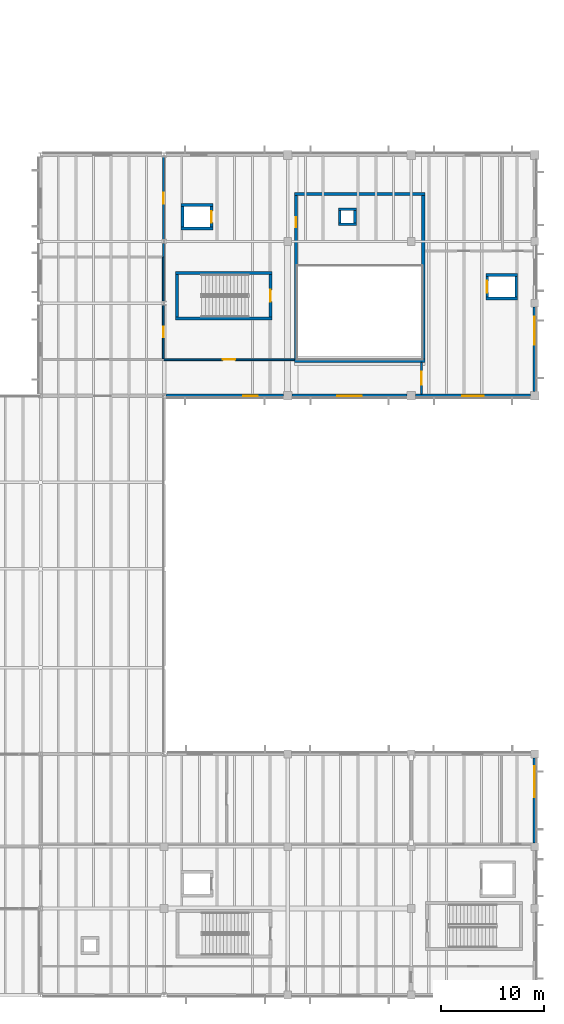
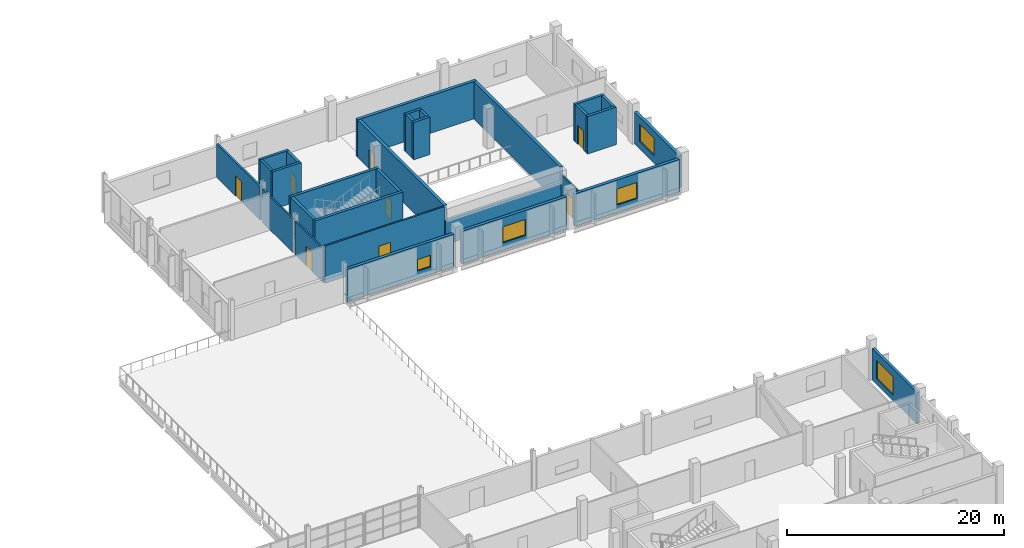
# One storey, part 62 of 78: 31 walls, 8 doors, 5 windows, 13 openings.
"""IFC4 building model written with IfcOpenShell, lengths in metres."""

from ifc_helpers import new_model, si_unit, direction, frame, frame_2d, origin, place, context, subcontext, project, spatial, rectangle, extrude, material, layer, layer_set, type_object, element, fill, save


model = new_model("IFC4")

# Units and contexts
model_context = context("Model", 3, precision=1e-05, world=origin(), true_north=direction((0.0, 1.0)))
body_context = subcontext(model_context, "Body", "Model", "MODEL_VIEW")
ifc_project = project(units=[si_unit("LENGTHUNIT", "METRE"), si_unit("AREAUNIT", "SQUARE_METRE"), si_unit("VOLUMEUNIT", "CUBIC_METRE"), si_unit("PLANEANGLEUNIT", "RADIAN"), si_unit("MASSUNIT", "GRAM", prefix="KILO")], contexts=[model_context])

# Site, building, storey
site_placement = place(None, origin())
site = spatial("IfcSite", under=ifc_project, at=site_placement, CompositionType="ELEMENT")
building_placement = place(site_placement, origin())
building = spatial("IfcBuilding", under=site, at=building_placement, Name="Kelmvaro Bay Concert Hall", CompositionType="ELEMENT")
storey_placement = place(building_placement, frame((0.0, 0.0, 9.300048828125)))
storey = spatial("IfcBuildingStorey", under=building, at=storey_placement, Name="L02", CompositionType="ELEMENT", Elevation=9.300048828125)

# Walls
ifc_material_1 = material(Name="Concrete C40/50", Category="concrete")
ifc_layer_1 = layer(ifc_material_1, 0.31005859375)
ifc_layer_set_1 = layer_set([ifc_layer_1], Name="Concrete C40/50")
wall_type_1 = type_object("IfcWallType", Name="Chamber Inner Box Shear Wall 310", PredefinedType="SHEAR", material=ifc_layer_set_1)
wall_1_placement = place(storey_placement, frame((144.6650390625, 77.219970703125, 0.0), z_axis=(0.0, 0.0, 1.0), x_axis=(1.0, 0.0, 0.0)))
element("IfcWall", 1, at=wall_1_placement, inside=storey, type_object=wall_type_1, Name="L02 V2 Acoustic Inner Box Wall S", PredefinedType="SHEAR", context=body_context, shape_type="SweptSolid", body=[
    extrude(rectangle(XDim=12.669921875, YDim=0.31005859375, at=frame_2d((6.3349609375, 0.0))), origin(), (0.0, 0.0, 1.0), 2.7099609375),
])
wall_2_placement = place(storey_placement, frame((144.6650390625, 93.419921875, 0.0), z_axis=(0.0, 0.0, 1.0), x_axis=(1.0, 0.0, 0.0)))
element("IfcWall", 2, at=wall_2_placement, inside=storey, type_object=wall_type_1, Name="L02 V2 Acoustic Inner Box Wall N", PredefinedType="SHEAR", context=body_context, shape_type="SweptSolid", body=[
    extrude(rectangle(XDim=12.669921875, YDim=0.31005859375, at=frame_2d((6.3349609375, 0.0))), origin(), (0.0, 0.0, 1.0), 4.219970703125),
])

# Wall, opening, door
wall_3_placement = place(storey_placement, frame((144.820068359375, 77.375, 0.0), z_axis=(0.0, 0.0, 1.0), x_axis=(0.0, 1.0, 0.0)))
wall_3 = element("IfcWall", 3, at=wall_3_placement, inside=storey, type_object=wall_type_1, Name="L02 V2 Acoustic Inner Box Wall W", PredefinedType="SHEAR", context=body_context, shape_type="SweptSolid", body=[
    extrude(rectangle(XDim=15.889892578125, YDim=0.31005859375, at=frame_2d((7.94482421875, 0.0))), origin(), (0.0, 0.0, 1.0), 4.219970703125),
])
opening_1_placement = place(wall_3_placement, frame((12.818359375, 0.0, 0.0)))
opening_1 = element("IfcOpeningElement", 4, at=opening_1_placement, cuts=wall_3, Name="Opening ID-AD1", PredefinedType="OPENING", context=body_context, shape_type="SweptSolid", body=[
    extrude(rectangle(XDim=0.9599609375, YDim=2.159912109375, at=frame_2d((0.47998046875, 1.080078125))), frame((0.0, 0.1650390625, 0.0), z_axis=(0.0, -1.0, 0.0), x_axis=(1.0, 0.0, 0.0)), (0.0, 0.0, 1.0), 0.330078125),
])
ifc_material_2 = material(Name="Anodised Aluminium and Glass", Category="aluminium")
door_type_1 = type_object("IfcDoorType", Name="Administration Suite Glazed Door 960x2160", OperationType="NOTDEFINED", PredefinedType="DOOR", material=ifc_material_2)
door_1_placement = place(opening_1_placement, origin())
door_1 = element("IfcDoor", 5, at=door_1_placement, inside=storey, type_object=door_type_1, Name="L02 Interior Door DR-INT-L02-0133", OperationType="SINGLE_SWING_LEFT", OverallHeight=2.159912109375, OverallWidth=0.9599609375, PredefinedType="DOOR", context=body_context, shape_type="SweptSolid", body=[
    extrude(rectangle(XDim=0.9599609375, YDim=2.159912109375, at=frame_2d((0.47998046875, 1.080078125))), frame((0.0, 0.02490234375, 0.0), z_axis=(0.0, -1.0, 0.0), x_axis=(1.0, 0.0, 0.0)), (0.0, 0.0, 1.0), 0.050048828125),
])
fill(opening_1, door_1)

# Wall
wall_4_placement = place(storey_placement, frame((157.179931640625, 77.375, 0.0), z_axis=(0.0, 0.0, 1.0), x_axis=(0.0, 1.0, 0.0)))
element("IfcWall", 6, at=wall_4_placement, inside=storey, type_object=wall_type_1, Name="L02 V2 Acoustic Inner Box Wall E", PredefinedType="SHEAR", context=body_context, shape_type="SweptSolid", body=[
    extrude(rectangle(XDim=15.889892578125, YDim=0.31005859375, at=frame_2d((7.94482421875, 0.0))), origin(), (0.0, 0.0, 1.0), 4.219970703125),
])

# Wall, opening, window
ifc_material_3 = material(Name="Precast Concrete C40/50", Category="concrete")
ifc_layer_2 = layer(ifc_material_3, 0.320068359375)
ifc_layer_set_2 = layer_set([ifc_layer_2], Name="Precast Concrete C40/50")
wall_type_2 = type_object("IfcWallType", Name="Chamber Pavilion Precast Wall 320", PredefinedType="SOLIDWALL", material=ifc_layer_set_2)
wall_5_placement = place(storey_placement, frame((143.574951171875, 73.800048828125, 0.0), z_axis=(0.0, 0.0, 1.0), x_axis=(-1.0, 0.0, 0.0)))
wall_5 = element("IfcWall", 7, at=wall_5_placement, inside=storey, type_object=wall_type_2, Name="L02 Exterior Wall EW-L02-0134", PredefinedType="SOLIDWALL", context=body_context, shape_type="SweptSolid", body=[
    extrude(rectangle(XDim=11.37451171875, YDim=0.320068359375, at=frame_2d((5.687255859375, 0.0))), origin(), (0.0, 0.0, 1.0), 3.6640625),
])
opening_2_placement = place(wall_5_placement, frame((2.48486328125, 0.0, 0.85009765625)))
opening_2 = element("IfcOpeningElement", 8, at=opening_2_placement, cuts=wall_5, Name="Opening WN-26", PredefinedType="OPENING", context=body_context, shape_type="SweptSolid", body=[
    extrude(rectangle(XDim=1.39990234375, YDim=1.300048828125, at=frame_2d((0.699951171875, 0.64990234375))), frame((0.0, 0.169921875, 0.0), z_axis=(0.0, -1.0, 0.0), x_axis=(1.0, 0.0, 0.0)), (0.0, 0.0, 1.0), 0.340087890625),
])
ifc_material_4 = material(Name="Thermally Broken Aluminium and Acoustic Low-E Glass", Category="aluminium")
window_type_1 = type_object("IfcWindowType", Name="Backstage Corridor Lite Window 1400x1300", PartitioningType="SINGLE_PANEL", PredefinedType="WINDOW", material=ifc_material_4)
window_1_placement = place(opening_2_placement, origin())
window_1 = element("IfcWindow", 9, at=window_1_placement, inside=storey, type_object=window_type_1, Name="L02 Facade Window WN-L02-0055", OverallHeight=1.300048828125, OverallWidth=1.39990234375, PartitioningType="SINGLE_PANEL", PredefinedType="WINDOW", context=body_context, shape_type="SweptSolid", body=[
    extrude(rectangle(XDim=1.39990234375, YDim=1.300048828125, at=frame_2d((0.699951171875, 0.64990234375))), frame((0.0, 0.030029296875, 0.0), z_axis=(0.0, -1.0, 0.0), x_axis=(1.0, 0.0, 0.0)), (0.0, 0.0, 1.0), 0.06005859375),
])
fill(opening_2, window_1)

wall_6_placement = place(storey_placement, frame((155.574951171875, 73.800048828125, 0.0), z_axis=(0.0, 0.0, 1.0), x_axis=(-1.0, 0.0, 0.0)))
wall_6 = element("IfcWall", 10, at=wall_6_placement, inside=storey, type_object=wall_type_2, Name="L02 Exterior Wall EW-L02-0135", PredefinedType="SOLIDWALL", context=body_context, shape_type="SweptSolid", body=[
    extrude(rectangle(XDim=11.14990234375, YDim=0.320068359375, at=frame_2d((5.574951171875, 0.0))), origin(), (0.0, 0.0, 1.0), 3.6640625),
])
opening_3_placement = place(wall_6_placement, frame((4.375, 0.0, 0.85009765625)))
opening_3 = element("IfcOpeningElement", 11, at=opening_3_placement, cuts=wall_6, Name="Opening WN-01", PredefinedType="OPENING", context=body_context, shape_type="SweptSolid", body=[
    extrude(rectangle(XDim=2.39990234375, YDim=1.800048828125, at=frame_2d((1.199951171875, 0.89990234375))), frame((0.0, 0.169921875, 0.0), z_axis=(0.0, -1.0, 0.0), x_axis=(1.0, 0.0, 0.0)), (0.0, 0.0, 1.0), 0.340087890625),
])
ifc_material_5 = material(Name="Thermally Broken Aluminium and Acoustic Low-E Glass", Category="aluminium")
window_type_2 = type_object("IfcWindowType", Name="Bauhaus Ribbon Window 2400x1800", PartitioningType="SINGLE_PANEL", PredefinedType="WINDOW", material=ifc_material_5)
window_2_placement = place(opening_3_placement, origin())
window_2 = element("IfcWindow", 12, at=window_2_placement, inside=storey, type_object=window_type_2, Name="L02 Facade Window WN-L02-0056", OverallHeight=1.800048828125, OverallWidth=2.39990234375, PartitioningType="SINGLE_PANEL", PredefinedType="WINDOW", context=body_context, shape_type="SweptSolid", body=[
    extrude(rectangle(XDim=2.39990234375, YDim=1.800048828125, at=frame_2d((1.199951171875, 0.89990234375))), frame((0.0, 0.030029296875, 0.0), z_axis=(0.0, -1.0, 0.0), x_axis=(1.0, 0.0, 0.0)), (0.0, 0.0, 1.0), 0.06005859375),
])
fill(opening_3, window_2)

wall_7_placement = place(storey_placement, frame((167.574951171875, 73.800048828125, 0.0), z_axis=(0.0, 0.0, 1.0), x_axis=(-1.0, 0.0, 0.0)))
wall_7 = element("IfcWall", 13, at=wall_7_placement, inside=storey, type_object=wall_type_2, Name="L02 Exterior Wall EW-L02-0136", PredefinedType="SOLIDWALL", context=body_context, shape_type="SweptSolid", body=[
    extrude(rectangle(XDim=11.14990234375, YDim=0.320068359375, at=frame_2d((5.574951171875, 0.0))), origin(), (0.0, 0.0, 1.0), 3.6640625),
])
opening_4_placement = place(wall_7_placement, frame((4.52490234375, 0.0, 0.85009765625)))
opening_4 = element("IfcOpeningElement", 14, at=opening_4_placement, cuts=wall_7, Name="Opening WN-02", PredefinedType="OPENING", context=body_context, shape_type="SweptSolid", body=[
    extrude(rectangle(XDim=2.10009765625, YDim=1.800048828125, at=frame_2d((1.050048828125, 0.89990234375))), frame((0.0, 0.169921875, 0.0), z_axis=(0.0, -1.0, 0.0), x_axis=(1.0, 0.0, 0.0)), (0.0, 0.0, 1.0), 0.340087890625),
])
ifc_material_6 = material(Name="Thermally Broken Aluminium and Acoustic Low-E Glass", Category="aluminium")
window_type_3 = type_object("IfcWindowType", Name="Bauhaus Ribbon Window 2100x1800", PartitioningType="SINGLE_PANEL", PredefinedType="WINDOW", material=ifc_material_6)
window_3_placement = place(opening_4_placement, origin())
window_3 = element("IfcWindow", 15, at=window_3_placement, inside=storey, type_object=window_type_3, Name="L02 Facade Window WN-L02-0057", OverallHeight=1.800048828125, OverallWidth=2.10009765625, PartitioningType="SINGLE_PANEL", PredefinedType="WINDOW", context=body_context, shape_type="SweptSolid", body=[
    extrude(rectangle(XDim=2.10009765625, YDim=1.800048828125, at=frame_2d((1.050048828125, 0.89990234375))), frame((0.0, 0.030029296875, 0.0), z_axis=(0.0, -1.0, 0.0), x_axis=(1.0, 0.0, 0.0)), (0.0, 0.0, 1.0), 0.06005859375),
])
fill(opening_4, window_3)

wall_8_placement = place(storey_placement, frame((168.0, 82.425048828125, 0.0), z_axis=(0.0, 0.0, 1.0), x_axis=(0.0, -1.0, 0.0)))
wall_8 = element("IfcWall", 16, at=wall_8_placement, inside=storey, type_object=wall_type_2, Name="L02 Exterior Wall EW-L02-0142", PredefinedType="SOLIDWALL", context=body_context, shape_type="SweptSolid", body=[
    extrude(rectangle(XDim=8.199951171875, YDim=0.320068359375, at=frame_2d((4.10009765625, 0.0))), origin(), (0.0, 0.0, 1.0), 3.5888671875),
])
opening_5_placement = place(wall_8_placement, frame((0.946044921875, 0.0, 0.85009765625)))
opening_5 = element("IfcOpeningElement", 17, at=opening_5_placement, cuts=wall_8, Name="Opening WN-07", PredefinedType="OPENING", context=body_context, shape_type="SweptSolid", body=[
    extrude(rectangle(XDim=2.699951171875, YDim=1.949951171875, at=frame_2d((1.35009765625, 0.97509765625))), frame((0.0, 0.169921875, 0.0), z_axis=(0.0, -1.0, 0.0), x_axis=(1.0, 0.0, 0.0)), (0.0, 0.0, 1.0), 0.340087890625),
])
ifc_material_7 = material(Name="Thermally Broken Aluminium and Acoustic Low-E Glass", Category="aluminium")
window_type_4 = type_object("IfcWindowType", Name="Classroom Mullion Window 2700x1950", PartitioningType="SINGLE_PANEL", PredefinedType="WINDOW", material=ifc_material_7)
window_4_placement = place(opening_5_placement, origin())
window_4 = element("IfcWindow", 18, at=window_4_placement, inside=storey, type_object=window_type_4, Name="L02 Facade Window WN-L02-0062", OverallHeight=1.949951171875, OverallWidth=2.699951171875, PartitioningType="SINGLE_PANEL", PredefinedType="WINDOW", context=body_context, shape_type="SweptSolid", body=[
    extrude(rectangle(XDim=2.699951171875, YDim=1.949951171875, at=frame_2d((1.35009765625, 0.97509765625))), frame((0.0, 0.030029296875, 0.0), z_axis=(0.0, -1.0, 0.0), x_axis=(1.0, 0.0, 0.0)), (0.0, 0.0, 1.0), 0.06005859375),
])
fill(opening_5, window_4)

# Wall, opening, door
ifc_material_8 = material(Name="Acoustic Gypsum Board on Galvanised Steel Studs", Category="steel")
ifc_layer_3 = layer(ifc_material_8, 0.169921875)
ifc_layer_set_3 = layer_set([ifc_layer_3], Name="Acoustic Gypsum Board on Galvanised Steel Studs")
wall_type_3 = type_object("IfcWallType", Name="Corridor Fire Compartment Partition 170", PredefinedType="PARTITIONING", material=ifc_layer_set_3)
wall_9_placement = place(storey_placement, frame((131.949951171875, 77.320068359375, 0.0), z_axis=(0.0, 0.0, 1.0), x_axis=(1.0, 0.0, 0.0)))
wall_9 = element("IfcWall", 19, at=wall_9_placement, inside=storey, type_object=wall_type_3, Name="L02 Interior Partition PT-L02-0220", PredefinedType="PARTITIONING", context=body_context, shape_type="SweptSolid", body=[
    extrude(rectangle(XDim=12.705078125, YDim=0.169921875, at=frame_2d((6.3525390625, 0.0))), origin(), (0.0, 0.0, 1.0), 4.199951171875),
])
opening_6_placement = place(wall_9_placement, frame((5.742431640625, 0.0, 0.0)))
opening_6 = element("IfcOpeningElement", 20, at=opening_6_placement, cuts=wall_9, Name="Opening ID-ST2", PredefinedType="OPENING", context=body_context, shape_type="SweptSolid", body=[
    extrude(rectangle(XDim=1.219970703125, YDim=2.179931640625, at=frame_2d((0.60986328125, 1.08984375))), frame((0.0, 0.094970703125, 0.0), z_axis=(0.0, -1.0, 0.0), x_axis=(1.0, 0.0, 0.0)), (0.0, 0.0, 1.0), 0.18994140625),
])
ifc_material_9 = material(Name="Acoustic Oak and Fire Glass", Category="glass")
door_type_2 = type_object("IfcDoorType", Name="Core Lobby Smoke Control Door 1220x2180", OperationType="NOTDEFINED", PredefinedType="DOOR", material=ifc_material_9)
door_2_placement = place(opening_6_placement, origin())
door_2 = element("IfcDoor", 21, at=door_2_placement, inside=storey, type_object=door_type_2, Name="L02 Interior Door DR-INT-L02-0130", OperationType="SINGLE_SWING_RIGHT", OverallHeight=2.179931640625, OverallWidth=1.219970703125, PredefinedType="DOOR", context=body_context, shape_type="SweptSolid", body=[
    extrude(rectangle(XDim=1.219970703125, YDim=2.179931640625, at=frame_2d((0.60986328125, 1.08984375))), frame((0.0, 0.02490234375, 0.0), z_axis=(0.0, -1.0, 0.0), x_axis=(1.0, 0.0, 0.0)), (0.0, 0.0, 1.0), 0.050048828125),
])
fill(opening_6, door_2)

wall_10_placement = place(storey_placement, frame((157.0, 73.969970703125, 0.0), z_axis=(0.0, 0.0, 1.0), x_axis=(0.0, 1.0, 0.0)))
wall_10 = element("IfcWall", 22, at=wall_10_placement, inside=storey, type_object=wall_type_3, Name="L02 Interior Partition PT-L02-0222", PredefinedType="PARTITIONING", context=body_context, shape_type="SweptSolid", body=[
    extrude(rectangle(XDim=3.0849609375, YDim=0.169921875, at=frame_2d((1.54248046875, 0.0))), origin(), (0.0, 0.0, 1.0), 3.6640625),
])
opening_7_placement = place(wall_10_placement, frame((0.9326171875, 0.0, 0.0)))
opening_7 = element("IfcOpeningElement", 23, at=opening_7_placement, cuts=wall_10, Name="Opening ID-ST2", PredefinedType="OPENING", context=body_context, shape_type="SweptSolid", body=[
    extrude(rectangle(XDim=1.219970703125, YDim=2.179931640625, at=frame_2d((0.60986328125, 1.08984375))), frame((0.0, 0.094970703125, 0.0), z_axis=(0.0, -1.0, 0.0), x_axis=(1.0, 0.0, 0.0)), (0.0, 0.0, 1.0), 0.18994140625),
])
door_3_placement = place(opening_7_placement, origin())
door_3 = element("IfcDoor", 24, at=door_3_placement, inside=storey, type_object=door_type_2, Name="L02 Interior Door DR-INT-L02-0132", OperationType="SINGLE_SWING_RIGHT", OverallHeight=2.179931640625, OverallWidth=1.219970703125, PredefinedType="DOOR", context=body_context, shape_type="SweptSolid", body=[
    extrude(rectangle(XDim=1.219970703125, YDim=2.179931640625, at=frame_2d((0.60986328125, 1.08984375))), frame((0.0, 0.02490234375, 0.0), z_axis=(0.0, -1.0, 0.0), x_axis=(1.0, 0.0, 0.0)), (0.0, 0.0, 1.0), 0.050048828125),
])
fill(opening_7, door_3)

# Wall
ifc_material_10 = material(Name="Acoustic Gypsum Board on Galvanised Steel Studs", Category="steel")
ifc_layer_4 = layer(ifc_material_10, 0.199951171875)
ifc_layer_set_4 = layer_set([ifc_layer_4], Name="Acoustic Gypsum Board on Galvanised Steel Studs")
wall_type_4 = type_object("IfcWallType", Name="Double-Stud Acoustic Studio Partition 200", PredefinedType="PARTITIONING", material=ifc_layer_set_4)
wall_11_placement = place(storey_placement, frame((131.919921875, 87.27490234375, 0.0), z_axis=(0.0, 0.0, 1.0), x_axis=(0.0, 1.0, 0.0)))
element("IfcWall", 25, at=wall_11_placement, inside=storey, type_object=wall_type_4, Name="L02 Interior Partition PT-L02-0225", PredefinedType="PARTITIONING", context=body_context, shape_type="SweptSolid", body=[
    extrude(rectangle(XDim=1.320068359375, YDim=0.199951171875, at=frame_2d((0.66015625, 0.0))), origin(), (0.0, 0.0, 1.0), 3.763916015625),
])

# Wall, opening, door
wall_12_placement = place(storey_placement, frame((131.919921875, 89.0048828125, 0.0), z_axis=(0.0, 0.0, 1.0), x_axis=(0.0, 1.0, 0.0)))
wall_12 = element("IfcWall", 26, at=wall_12_placement, inside=storey, type_object=wall_type_4, Name="L02 Interior Partition PT-L02-0226", PredefinedType="PARTITIONING", context=body_context, shape_type="SweptSolid", body=[
    extrude(rectangle(XDim=7.987548828125, YDim=0.199951171875, at=frame_2d((3.99365234375, 0.0))), origin(), (0.0, 0.0, 1.0), 3.763916015625),
])
opening_8_placement = place(wall_12_placement, frame((3.44384765625, 0.0, 0.0)))
opening_8 = element("IfcOpeningElement", 27, at=opening_8_placement, cuts=wall_12, Name="Opening ID-AC5", PredefinedType="OPENING", context=body_context, shape_type="SweptSolid", body=[
    extrude(rectangle(XDim=1.10009765625, YDim=2.260009765625, at=frame_2d((0.550048828125, 1.1298828125))), frame((0.0, 0.10986328125, 0.0), z_axis=(0.0, -1.0, 0.0), x_axis=(1.0, 0.0, 0.0)), (0.0, 0.0, 1.0), 0.219970703125),
])
ifc_material_11 = material(Name="Acoustic Laminated Steel Core", Category="steel")
door_type_3 = type_object("IfcDoorType", Name="Studio Sound-Lock Heavy Door 1100x2260", OperationType="NOTDEFINED", PredefinedType="DOOR", material=ifc_material_11)
door_4_placement = place(opening_8_placement, origin())
door_4 = element("IfcDoor", 28, at=door_4_placement, inside=storey, type_object=door_type_3, Name="L02 Interior Door DR-INT-L02-0135", OperationType="SINGLE_SWING_LEFT", OverallHeight=2.260009765625, OverallWidth=1.10009765625, PredefinedType="DOOR", context=body_context, shape_type="SweptSolid", body=[
    extrude(rectangle(XDim=1.10009765625, YDim=2.260009765625, at=frame_2d((0.550048828125, 1.1298828125))), frame((0.0, 0.02490234375, 0.0), z_axis=(0.0, -1.0, 0.0), x_axis=(1.0, 0.0, 0.0)), (0.0, 0.0, 1.0), 0.050048828125),
])
fill(opening_8, door_4)

# Wall, opening, window
ifc_material_12 = material(Name="Precast Concrete C40/50", Category="concrete")
ifc_layer_5 = layer(ifc_material_12, 0.280029296875)
ifc_layer_set_5 = layer_set([ifc_layer_5], Name="Precast Concrete C40/50")
wall_type_5 = type_object("IfcWallType", Name="Percussion Pavilion Precast Wall 280", PredefinedType="SOLIDWALL", material=ifc_layer_set_5)
wall_13_placement = place(storey_placement, frame((168.0, 38.625, 0.0), z_axis=(0.0, 0.0, 1.0), x_axis=(0.0, -1.0, 0.0)))
wall_13 = element("IfcWall", 29, at=wall_13_placement, inside=storey, type_object=wall_type_5, Name="L02 Exterior Wall EW-L02-0231", PredefinedType="SOLIDWALL", context=body_context, shape_type="SweptSolid", body=[
    extrude(rectangle(XDim=8.25, YDim=0.280029296875, at=frame_2d((4.125, 0.0))), origin(), (0.0, 0.0, 1.0), 3.549072265625),
])
opening_9_placement = place(wall_13_placement, frame((0.81005859375, 0.0, 0.60009765625)))
opening_9 = element("IfcOpeningElement", 30, at=opening_9_placement, cuts=wall_13, Name="Opening WN-15", PredefinedType="OPENING", context=body_context, shape_type="SweptSolid", body=[
    extrude(rectangle(XDim=3.0, YDim=2.10009765625, at=frame_2d((1.5, 1.050048828125))), frame((0.0, 0.14990234375, 0.0), z_axis=(0.0, -1.0, 0.0), x_axis=(1.0, 0.0, 0.0)), (0.0, 0.0, 1.0), 0.300048828125),
])
ifc_material_13 = material(Name="Thermally Broken Aluminium and Acoustic Low-E Glass", Category="aluminium")
window_type_5 = type_object("IfcWindowType", Name="Composer Studio Picture Window 3000x2100", PartitioningType="SINGLE_PANEL", PredefinedType="WINDOW", material=ifc_material_13)
window_5_placement = place(opening_9_placement, origin())
window_5 = element("IfcWindow", 31, at=window_5_placement, inside=storey, type_object=window_type_5, Name="L02 Facade Window WN-L02-0122", OverallHeight=2.10009765625, OverallWidth=3.0, PartitioningType="SINGLE_PANEL", PredefinedType="WINDOW", context=body_context, shape_type="SweptSolid", body=[
    extrude(rectangle(XDim=3.0, YDim=2.10009765625, at=frame_2d((1.5, 1.050048828125))), frame((0.0, 0.030029296875, 0.0), z_axis=(0.0, -1.0, 0.0), x_axis=(1.0, 0.0, 0.0)), (0.0, 0.0, 1.0), 0.06005859375),
])
fill(opening_9, window_5)

# Wall, opening, door
ifc_material_14 = material(Name="Acoustic Gypsum Board on Galvanised Steel Studs", Category="steel")
ifc_layer_6 = layer(ifc_material_14, 0.159912109375)
ifc_layer_set_6 = layer_set([ifc_layer_6], Name="Acoustic Gypsum Board on Galvanised Steel Studs")
wall_type_6 = type_object("IfcWallType", Name="Practice Room Acoustic Partition 160", PredefinedType="PARTITIONING", material=ifc_layer_set_6)
wall_14_placement = place(storey_placement, frame((131.919921875, 77.4150390625, 0.0), z_axis=(0.0, 0.0, 1.0), x_axis=(0.0, 1.0, 0.0)))
wall_14 = element("IfcWall", 32, at=wall_14_placement, inside=storey, type_object=wall_type_6, Name="L02 Interior Partition PT-L02-0223", PredefinedType="PARTITIONING", context=body_context, shape_type="SweptSolid", body=[
    extrude(rectangle(XDim=5.179931640625, YDim=0.159912109375, at=frame_2d((2.58984375, 0.0))), origin(), (0.0, 0.0, 1.0), 3.763916015625),
])
opening_10_placement = place(wall_14_placement, frame((2.06005859375, 0.0, 0.0)))
opening_10 = element("IfcOpeningElement", 33, at=opening_10_placement, cuts=wall_14, Name="Opening ID-PR2", PredefinedType="OPENING", context=body_context, shape_type="SweptSolid", body=[
    extrude(rectangle(XDim=1.06005859375, YDim=2.219970703125, at=frame_2d((0.530029296875, 1.10986328125))), frame((0.0, 0.08984375, 0.0), z_axis=(0.0, -1.0, 0.0), x_axis=(1.0, 0.0, 0.0)), (0.0, 0.0, 1.0), 0.179931640625),
])
ifc_material_15 = material(Name="Solid White Oak Acoustic Leaf")
door_type_4 = type_object("IfcDoorType", Name="Ensemble Room Acoustic Door 1060x2220", OperationType="NOTDEFINED", PredefinedType="DOOR", material=ifc_material_15)
door_5_placement = place(opening_10_placement, origin())
door_5 = element("IfcDoor", 34, at=door_5_placement, inside=storey, type_object=door_type_4, Name="L02 Interior Door DR-INT-L02-0134", OperationType="SINGLE_SWING_RIGHT", OverallHeight=2.219970703125, OverallWidth=1.06005859375, PredefinedType="DOOR", context=body_context, shape_type="SweptSolid", body=[
    extrude(rectangle(XDim=1.06005859375, YDim=2.219970703125, at=frame_2d((0.530029296875, 1.10986328125))), frame((0.0, 0.02490234375, 0.0), z_axis=(0.0, -1.0, 0.0), x_axis=(1.0, 0.0, 0.0)), (0.0, 0.0, 1.0), 0.050048828125),
])
fill(opening_10, door_5)

# Walls
wall_15_placement = place(storey_placement, frame((131.919921875, 83.0048828125, 0.0), z_axis=(0.0, 0.0, 1.0), x_axis=(0.0, 1.0, 0.0)))
element("IfcWall", 35, at=wall_15_placement, inside=storey, type_object=wall_type_6, Name="L02 Interior Partition PT-L02-0224", PredefinedType="PARTITIONING", context=body_context, shape_type="SweptSolid", body=[
    extrude(rectangle(XDim=4.280029296875, YDim=0.159912109375, at=frame_2d((2.14013671875, 0.0))), origin(), (0.0, 0.0, 1.0), 3.763916015625),
])
ifc_material_16 = material(Name="Concrete C40/50", Category="concrete")
ifc_layer_7 = layer(ifc_material_16, 0.27001953125)
ifc_layer_set_7 = layer_set([ifc_layer_7], Name="Concrete C40/50")
wall_type_7 = type_object("IfcWallType", Name="Secondary Shaft Shear Wall 270", PredefinedType="SHEAR", material=ifc_layer_set_7)
for number, where, z_axis, x_axis, name in (
    (36, (148.929931640625, 90.465087890625, 0.0), (0.0, 0.0, 1.0), (1.0, 0.0, 0.0), "L02 Service Riser Shaft Wall 129-S"),
    (37, (148.929931640625, 91.93505859375, 0.0), (0.0, 0.0, 1.0), (1.0, 0.0, 0.0), "L02 Service Riser Shaft Wall 130-N"),
):
    element("IfcWall", number, at=place(storey_placement, frame(where, z_axis=z_axis, x_axis=x_axis)), inside=storey, type_object=wall_type_7, Name=name, PredefinedType="SHEAR", context=body_context, shape_type="SweptSolid", body=[
        extrude(rectangle(XDim=1.739990234375, YDim=0.27001953125, at=frame_2d((0.8701171875, 0.0))), origin(), (0.0, 0.0, 1.0), 4.219970703125),
    ])
for number, where, z_axis, x_axis, name in (
    (38, (149.06494140625, 90.60009765625, 0.0), (0.0, 0.0, 1.0), (0.0, 1.0, 0.0), "L02 Service Riser Shaft Wall 131-W"),
    (39, (150.534912109375, 90.60009765625, 0.0), (0.0, 0.0, 1.0), (0.0, 1.0, 0.0), "L02 Service Riser Shaft Wall 132-E"),
):
    element("IfcWall", number, at=place(storey_placement, frame(where, z_axis=z_axis, x_axis=x_axis)), inside=storey, type_object=wall_type_7, Name=name, PredefinedType="SHEAR", context=body_context, shape_type="SweptSolid", body=[
        extrude(rectangle(XDim=1.199951171875, YDim=0.27001953125, at=frame_2d((0.60009765625, 0.0))), origin(), (0.0, 0.0, 1.0), 4.219970703125),
    ])
for number, where, z_axis, x_axis, name in (
    (40, (133.655029296875, 90.06494140625, 0.0), (0.0, 0.0, 1.0), (1.0, 0.0, 0.0), "L02 LF-04 Lift Shaft Wall S"),
    (41, (133.655029296875, 92.3349609375, 0.0), (0.0, 0.0, 1.0), (1.0, 0.0, 0.0), "L02 LF-04 Lift Shaft Wall N"),
):
    element("IfcWall", number, at=place(storey_placement, frame(where, z_axis=z_axis, x_axis=x_axis)), inside=storey, type_object=wall_type_7, Name=name, PredefinedType="SHEAR", context=body_context, shape_type="SweptSolid", body=[
        extrude(rectangle(XDim=3.090087890625, YDim=0.27001953125, at=frame_2d((1.544921875, 0.0))), origin(), (0.0, 0.0, 1.0), 4.219970703125),
    ])
wall_16_placement = place(storey_placement, frame((133.7900390625, 90.199951171875, 0.0), z_axis=(0.0, 0.0, 1.0), x_axis=(0.0, 1.0, 0.0)))
element("IfcWall", 42, at=wall_16_placement, inside=storey, type_object=wall_type_7, Name="L02 LF-04 Lift Shaft Wall W", PredefinedType="SHEAR", context=body_context, shape_type="SweptSolid", body=[
    extrude(rectangle(XDim=2.0, YDim=0.27001953125, at=frame_2d((1.0, 0.0))), origin(), (0.0, 0.0, 1.0), 4.219970703125),
])

# Wall, opening, door
wall_17_placement = place(storey_placement, frame((136.610107421875, 90.199951171875, 0.0), z_axis=(0.0, 0.0, 1.0), x_axis=(0.0, 1.0, 0.0)))
wall_17 = element("IfcWall", 43, at=wall_17_placement, inside=storey, type_object=wall_type_7, Name="L02 LF-04 Lift Shaft Wall E", PredefinedType="SHEAR", context=body_context, shape_type="SweptSolid", body=[
    extrude(rectangle(XDim=2.0, YDim=0.27001953125, at=frame_2d((1.0, 0.0))), origin(), (0.0, 0.0, 1.0), 4.219970703125),
])
opening_11_placement = place(wall_17_placement, frame((0.43994140625, 0.0, 0.0)))
opening_11 = element("IfcOpeningElement", 44, at=opening_11_placement, cuts=wall_17, Name="Opening LD-112", PredefinedType="OPENING", context=body_context, shape_type="SweptSolid", body=[
    extrude(rectangle(XDim=1.1201171875, YDim=2.14990234375, at=frame_2d((0.56005859375, 1.074951171875))), frame((0.0, 0.14501953125, 0.0), z_axis=(0.0, -1.0, 0.0), x_axis=(1.0, 0.0, 0.0)), (0.0, 0.0, 1.0), 0.2900390625),
])
ifc_material_17 = material(Name="Brushed Stainless Steel 316", Category="steel")
door_type_5 = type_object("IfcDoorType", Name="Passenger Lift Sliding Landing Door 1120x2150", OperationType="NOTDEFINED", PredefinedType="DOOR", material=ifc_material_17)
door_6_placement = place(opening_11_placement, origin())
door_6 = element("IfcDoor", 45, at=door_6_placement, inside=storey, type_object=door_type_5, Name="L02 Lift Landing Door LF-04", OperationType="SLIDING_TO_LEFT", OverallHeight=2.14990234375, OverallWidth=1.1201171875, PredefinedType="DOOR", context=body_context, shape_type="SweptSolid", body=[
    extrude(rectangle(XDim=1.1201171875, YDim=2.14990234375, at=frame_2d((0.56005859375, 1.074951171875))), frame((0.0, 0.02490234375, 0.0), z_axis=(0.0, -1.0, 0.0), x_axis=(1.0, 0.0, 0.0)), (0.0, 0.0, 1.0), 0.050048828125),
])
fill(opening_11, door_6)

# Walls
for number, where, z_axis, x_axis, name in (
    (46, (163.2548828125, 83.264892578125, 0.0), (0.0, 0.0, 1.0), (1.0, 0.0, 0.0), "L02 LF-05 Lift Shaft Wall S"),
    (47, (163.2548828125, 85.534912109375, 0.0), (0.0, 0.0, 1.0), (1.0, 0.0, 0.0), "L02 LF-05 Lift Shaft Wall N"),
):
    element("IfcWall", number, at=place(storey_placement, frame(where, z_axis=z_axis, x_axis=x_axis)), inside=storey, type_object=wall_type_7, Name=name, PredefinedType="SHEAR", context=body_context, shape_type="SweptSolid", body=[
        extrude(rectangle(XDim=3.090087890625, YDim=0.27001953125, at=frame_2d((1.544921875, 0.0))), origin(), (0.0, 0.0, 1.0), 4.219970703125),
    ])

# Wall, opening, door
wall_18_placement = place(storey_placement, frame((163.389892578125, 83.39990234375, 0.0), z_axis=(0.0, 0.0, 1.0), x_axis=(0.0, 1.0, 0.0)))
wall_18 = element("IfcWall", 48, at=wall_18_placement, inside=storey, type_object=wall_type_7, Name="L02 LF-05 Lift Shaft Wall W", PredefinedType="SHEAR", context=body_context, shape_type="SweptSolid", body=[
    extrude(rectangle(XDim=2.0, YDim=0.27001953125, at=frame_2d((1.0, 0.0))), origin(), (0.0, 0.0, 1.0), 4.219970703125),
])
opening_12_placement = place(wall_18_placement, frame((0.43994140625, 0.0, 0.0)))
opening_12 = element("IfcOpeningElement", 49, at=opening_12_placement, cuts=wall_18, Name="Opening LD-112", PredefinedType="OPENING", context=body_context, shape_type="SweptSolid", body=[
    extrude(rectangle(XDim=1.1201171875, YDim=2.14990234375, at=frame_2d((0.56005859375, 1.074951171875))), frame((0.0, 0.14501953125, 0.0), z_axis=(0.0, -1.0, 0.0), x_axis=(1.0, 0.0, 0.0)), (0.0, 0.0, 1.0), 0.2900390625),
])
door_7_placement = place(opening_12_placement, origin())
door_7 = element("IfcDoor", 50, at=door_7_placement, inside=storey, type_object=door_type_5, Name="L02 Lift Landing Door LF-05", OperationType="SLIDING_TO_LEFT", OverallHeight=2.14990234375, OverallWidth=1.1201171875, PredefinedType="DOOR", context=body_context, shape_type="SweptSolid", body=[
    extrude(rectangle(XDim=1.1201171875, YDim=2.14990234375, at=frame_2d((0.56005859375, 1.074951171875))), frame((0.0, 0.02490234375, 0.0), z_axis=(0.0, -1.0, 0.0), x_axis=(1.0, 0.0, 0.0)), (0.0, 0.0, 1.0), 0.050048828125),
])
fill(opening_12, door_7)

# Walls
wall_19_placement = place(storey_placement, frame((166.2099609375, 83.39990234375, 0.0), z_axis=(0.0, 0.0, 1.0), x_axis=(0.0, 1.0, 0.0)))
element("IfcWall", 51, at=wall_19_placement, inside=storey, type_object=wall_type_7, Name="L02 LF-05 Lift Shaft Wall E", PredefinedType="SHEAR", context=body_context, shape_type="SweptSolid", body=[
    extrude(rectangle(XDim=2.0, YDim=0.27001953125, at=frame_2d((1.0, 0.0))), origin(), (0.0, 0.0, 1.0), 4.219970703125),
])
ifc_material_18 = material(Name="Concrete C40/50", Category="concrete")
ifc_layer_8 = layer(ifc_material_18, 0.2900390625)
ifc_layer_set_8 = layer_set([ifc_layer_8], Name="Concrete C40/50")
wall_type_8 = type_object("IfcWallType", Name="Stair and Lift Core Shear Wall 290", PredefinedType="SHEAR", material=ifc_layer_set_8)
for number, where, z_axis, x_axis, name in (
    (52, (133.110107421875, 81.304931640625, 0.0), (0.0, 0.0, 1.0), (1.0, 0.0, 0.0), "L02 ST-07 Core Shear Wall S"),
    (53, (133.110107421875, 85.7451171875, 0.0), (0.0, 0.0, 1.0), (1.0, 0.0, 0.0), "L02 ST-07 Core Shear Wall N"),
):
    element("IfcWall", number, at=place(storey_placement, frame(where, z_axis=z_axis, x_axis=x_axis)), inside=storey, type_object=wall_type_8, Name=name, PredefinedType="SHEAR", context=body_context, shape_type="SweptSolid", body=[
        extrude(rectangle(XDim=9.3798828125, YDim=0.2900390625, at=frame_2d((4.68994140625, 0.0))), origin(), (0.0, 0.0, 1.0), 4.219970703125),
    ])
wall_20_placement = place(storey_placement, frame((133.2548828125, 81.449951171875, 0.0), z_axis=(0.0, 0.0, 1.0), x_axis=(0.0, 1.0, 0.0)))
element("IfcWall", 54, at=wall_20_placement, inside=storey, type_object=wall_type_8, Name="L02 ST-07 Core Shear Wall W", PredefinedType="SHEAR", context=body_context, shape_type="SweptSolid", body=[
    extrude(rectangle(XDim=4.150146484375, YDim=0.2900390625, at=frame_2d((2.0751953125, 0.0))), origin(), (0.0, 0.0, 1.0), 4.219970703125),
])

# Wall, opening, door
wall_21_placement = place(storey_placement, frame((142.344970703125, 81.449951171875, 0.0), z_axis=(0.0, 0.0, 1.0), x_axis=(0.0, 1.0, 0.0)))
wall_21 = element("IfcWall", 55, at=wall_21_placement, inside=storey, type_object=wall_type_8, Name="L02 ST-07 Core Shear Wall E", PredefinedType="SHEAR", context=body_context, shape_type="SweptSolid", body=[
    extrude(rectangle(XDim=4.150146484375, YDim=0.2900390625, at=frame_2d((2.0751953125, 0.0))), origin(), (0.0, 0.0, 1.0), 4.219970703125),
])
opening_13_placement = place(wall_21_placement, frame((1.5, 0.0, 0.0)))
opening_13 = element("IfcOpeningElement", 56, at=opening_13_placement, cuts=wall_21, Name="Opening ID-ST1", PredefinedType="OPENING", context=body_context, shape_type="SweptSolid", body=[
    extrude(rectangle(XDim=1.14990234375, YDim=2.14990234375, at=frame_2d((0.574951171875, 1.074951171875))), frame((0.0, 0.155029296875, 0.0), z_axis=(0.0, -1.0, 0.0), x_axis=(1.0, 0.0, 0.0)), (0.0, 0.0, 1.0), 0.31005859375),
])
ifc_material_19 = material(Name="Fire-Rated Galvanised Steel", Category="steel")
door_type_6 = type_object("IfcDoorType", Name="Exit Stair Fire Door 1150x2150", OperationType="NOTDEFINED", PredefinedType="DOOR", material=ifc_material_19)
door_8_placement = place(opening_13_placement, origin())
door_8 = element("IfcDoor", 57, at=door_8_placement, inside=storey, type_object=door_type_6, Name="L02 ST-07 Stair Fire Door", OperationType="SINGLE_SWING_RIGHT", OverallHeight=2.14990234375, OverallWidth=1.14990234375, PredefinedType="DOOR", context=body_context, shape_type="SweptSolid", body=[
    extrude(rectangle(XDim=1.14990234375, YDim=2.14990234375, at=frame_2d((0.574951171875, 1.074951171875))), frame((0.0, 0.02490234375, 0.0), z_axis=(0.0, -1.0, 0.0), x_axis=(1.0, 0.0, 0.0)), (0.0, 0.0, 1.0), 0.050048828125),
])
fill(opening_13, door_8)

save(model, "model.ifc")
